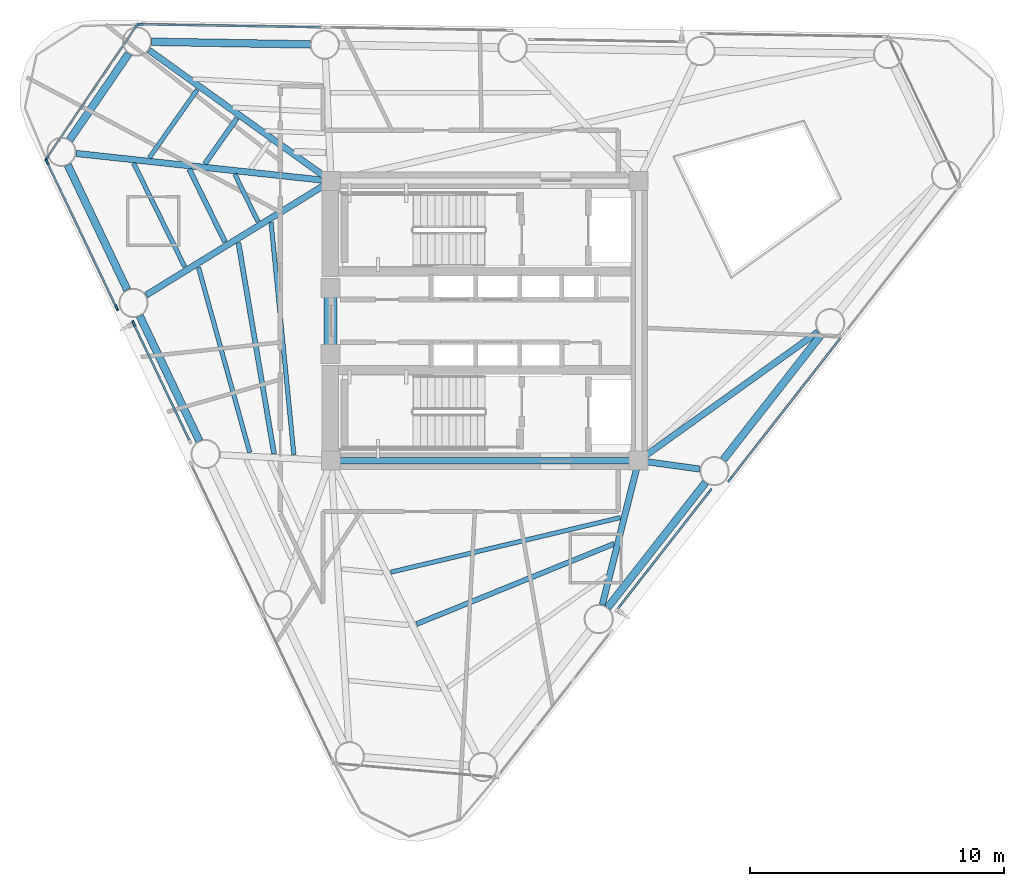
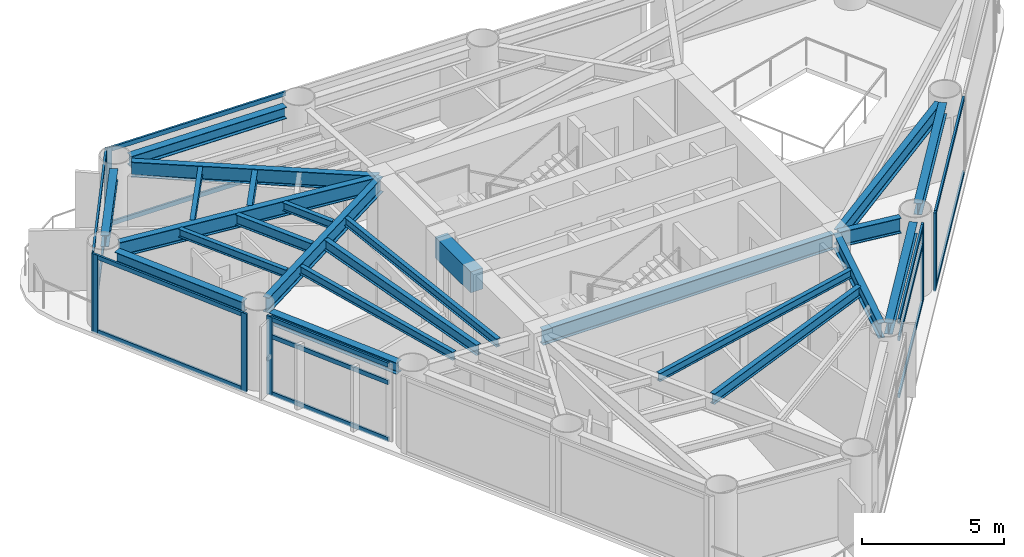
# One storey, part 2 of 9: 24 beams, 22 members, 6 elements without a shape of their own.
"""IFC4 building model written with IfcOpenShell, lengths in metres."""

from ifc_helpers import new_model, si_unit, direction, frame, origin, origin_2d, place, context, subcontext, project, spatial, rectangle, i_section, extrude, source, transform, mapped, material, layer, layer_set, material_profile, profile_set, type_object, element, aggregate, save


model = new_model("IFC4")

# Units and contexts
model_context = context("Model", 3, precision=1e-05, world=origin(), true_north=direction((0.0, 1.0)))
body_context = subcontext(model_context, "Body", "Model", "MODEL_VIEW")
ifc_project = project(units=[si_unit("LENGTHUNIT", "METRE"), si_unit("AREAUNIT", "SQUARE_METRE"), si_unit("VOLUMEUNIT", "CUBIC_METRE"), si_unit("PLANEANGLEUNIT", "RADIAN"), si_unit("MASSUNIT", "GRAM", prefix="KILO")], contexts=[model_context])

# Site, building, storey
site_placement = place(None, origin())
site = spatial("IfcSite", under=ifc_project, at=site_placement, CompositionType="ELEMENT")
building_placement = place(site_placement, origin())
building = spatial("IfcBuilding", under=site, at=building_placement, Name="Yunling Apex Tower", CompositionType="ELEMENT")
storey_placement = place(building_placement, frame((0.0, 0.0, 194.89990234375)))
storey = spatial("IfcBuildingStorey", under=building, at=storey_placement, Name="L47", CompositionType="ELEMENT", Elevation=194.89990234375)

# Beams
ifc_material_1 = material(Name="Concrete C50", Category="concrete")
ifc_material_profile_1 = material_profile(ifc_material_1, rectangle(XDim=0.5, YDim=0.89990234375, at=origin_2d()))
ifc_profile_set_1 = profile_set([ifc_material_profile_1], Name="Concrete C50")
beam_type_1 = type_object("IfcBeamType", Name="BC-CPL-2", PredefinedType="BEAM", material=ifc_profile_set_1)
shared_shape_1 = source(origin(), body_context, "Body", "SweptSolid", [
    extrude(rectangle(XDim=0.5, YDim=0.89990234375, at=origin_2d()), origin(), (0.0, 0.0, 1.0), 2.5),
])
beam_1_placement = place(storey_placement, frame((-6.074951171875, -1.25, 2.820068359375), z_axis=(0.0, 1.0, 0.0), x_axis=(-1.0, 0.0, 0.0)))
element("IfcBeam", 1, at=beam_1_placement, inside=storey, type_object=beam_type_1, Name="L47 Core West Portal Coupling Beam", PredefinedType="BEAM", context=body_context, shape_type="MappedRepresentation", body=[
    mapped(shared_shape_1, transform((0.0, 0.0, 0.0), scale=1.0)),
])
ifc_material_2 = material(Name="Steel Q355B", Category="steel")
ifc_material_profile_2 = material_profile(ifc_material_2, i_section(OverallWidth=0.25, OverallDepth=0.64990234375, WebThickness=0.011962890625, FlangeThickness=0.02001953125, FilletRadius=0.02392578125, at=origin_2d()))
ifc_profile_set_2 = profile_set([ifc_material_profile_2], Name="Steel Q355B")
beam_type_2 = type_object("IfcBeamType", Name="BG-PRI-4", PredefinedType="USERDEFINED", material=ifc_profile_set_2)
shared_shape_2 = source(origin(), body_context, "Body", "SweptSolid", [
    extrude(i_section(OverallWidth=0.25, OverallDepth=0.64990234375, WebThickness=0.011962890625, FlangeThickness=0.02001953125, FilletRadius=0.02392578125, at=origin_2d()), origin(), (0.0, 0.0, 1.0), 11.7998046875),
])
beam_2_placement = place(storey_placement, frame((-5.89990234375, -5.5, 2.945068359375), z_axis=(1.0, 0.0, 0.0), x_axis=(0.0, 1.0, 0.0)))
element("IfcBeam", 2, at=beam_2_placement, inside=storey, type_object=beam_type_2, Name="L47 Core Ring Tie Beam 1", ObjectType="GIRDER", PredefinedType="USERDEFINED", context=body_context, shape_type="MappedRepresentation", body=[
    mapped(shared_shape_2, transform((0.0, 0.0, 0.0), scale=1.0)),
])
ifc_material_profile_3 = material_profile(ifc_material_2, i_section(OverallWidth=0.300048828125, OverallDepth=0.489990234375, WebThickness=0.010986328125, FlangeThickness=0.01806640625, FilletRadius=0.02197265625, at=origin_2d()))
ifc_profile_set_3 = profile_set([ifc_material_profile_3], Name="Steel Q355B")
beam_type_3 = type_object("IfcBeamType", Name="BP-SPN-2", PredefinedType="SPANDREL", material=ifc_profile_set_3)
shared_shape_3 = source(origin(), body_context, "Body", "SweptSolid", [
    extrude(i_section(OverallWidth=0.300048828125, OverallDepth=0.489990234375, WebThickness=0.010986328125, FlangeThickness=0.01806640625, FilletRadius=0.02197265625, at=origin_2d()), origin(), (0.0, 0.0, 1.0), 6.253173828125),
])
for number, where, z_axis, x_axis, name in (
    (3, (4.831298828125, -11.2841796875, 3.025146484375), (0.61621666878, 0.787576673803, 0.0), (-0.787576673803, 0.61621666878, 0.0), "L47 Perimeter Spandrel Beam 2"),
    (4, (9.3857421875, -5.463134765625, 3.025146484375), (0.61621666878, 0.787576673803, 0.0), (-0.787576673803, 0.61621666878, 0.0), "L47 Perimeter Spandrel Beam 3"),
    (5, (-6.86669921875, 10.875, 3.025146484375), (-0.999859061432, 0.016788605428, 0.0), (-0.016788605428, -0.999859061432, 0.0), "L47 Perimeter Spandrel Beam 9"),
):
    element("IfcBeam", number, at=place(storey_placement, frame(where, z_axis=z_axis, x_axis=x_axis)), inside=storey, type_object=beam_type_3, Name=name, PredefinedType="SPANDREL", context=body_context, shape_type="MappedRepresentation", body=[
        mapped(shared_shape_3, transform((0.0, 0.0, 0.0), scale=1.0)),
    ])
shared_shape_4 = source(origin(), body_context, "Body", "SweptSolid", [
    extrude(i_section(OverallWidth=0.300048828125, OverallDepth=0.489990234375, WebThickness=0.010986328125, FlangeThickness=0.01806640625, FilletRadius=0.02197265625, at=origin_2d()), origin(), (0.0, 0.0, 1.0), 4.121337890625),
])
beam_3_placement = place(storey_placement, frame((-14.009033203125, 10.519775390625, 3.025146484375), z_axis=(-0.564775228093, -0.825244776858, 0.0), x_axis=(0.825244776858, -0.564775228093, 0.0)))
element("IfcBeam", 6, at=beam_3_placement, inside=storey, type_object=beam_type_3, Name="L47 Perimeter Spandrel Beam 10", PredefinedType="SPANDREL", context=body_context, shape_type="MappedRepresentation", body=[
    mapped(shared_shape_4, transform((0.0, 0.0, 0.0), scale=1.0)),
])
shared_shape_5 = source(origin(), body_context, "Body", "SweptSolid", [
    extrude(i_section(OverallWidth=0.300048828125, OverallDepth=0.489990234375, WebThickness=0.010986328125, FlangeThickness=0.01806640625, FilletRadius=0.02197265625, at=origin_2d()), origin(), (0.0, 0.0, 1.0), 5.4482421875),
])
for number, where, z_axis, x_axis, name in (
    (7, (-16.4130859375, 6.135498046875, 3.025146484375), (0.430538797564, -0.902572071246, 0.0), (0.902572071246, 0.430538797564, 0.0), "L47 Perimeter Spandrel Beam 11"),
    (8, (-13.577392578125, 0.190673828125, 3.025146484375), (0.430502292287, -0.902589483839, 0.0), (0.902589483839, 0.430502292287, 0.0), "L47 Perimeter Spandrel Beam 12"),
):
    element("IfcBeam", number, at=place(storey_placement, frame(where, z_axis=z_axis, x_axis=x_axis)), inside=storey, type_object=beam_type_3, Name=name, PredefinedType="SPANDREL", context=body_context, shape_type="MappedRepresentation", body=[
        mapped(shared_shape_5, transform((0.0, 0.0, 0.0), scale=1.0)),
    ])
shared_shape_6 = source(origin(), body_context, "Body", "SweptSolid", [
    extrude(i_section(OverallWidth=0.25, OverallDepth=0.64990234375, WebThickness=0.011962890625, FlangeThickness=0.02001953125, FilletRadius=0.02392578125, at=origin_2d()), origin(), (0.0, 0.0, 1.0), 5.763427734375),
])
beam_4_placement = place(storey_placement, frame((4.623291015625, -11.166748046875, 2.945068359375), z_axis=(0.244159894622, 0.969734987436, 0.0), x_axis=(-0.969734987436, 0.244159894622, 0.0)))
element("IfcBeam", 9, at=beam_4_placement, inside=storey, type_object=beam_type_2, Name="L47 Radial Primary Girder R02", ObjectType="GIRDER", PredefinedType="USERDEFINED", context=body_context, shape_type="MappedRepresentation", body=[
    mapped(shared_shape_6, transform((0.0, 0.0, 0.0), scale=1.0)),
])
shared_shape_7 = source(origin(), body_context, "Body", "SweptSolid", [
    extrude(i_section(OverallWidth=0.25, OverallDepth=0.64990234375, WebThickness=0.011962890625, FlangeThickness=0.02001953125, FilletRadius=0.02392578125, at=origin_2d()), origin(), (0.0, 0.0, 1.0), 2.35009765625),
])
beam_5_placement = place(storey_placement, frame((8.45751953125, -5.831787109375, 2.945068359375), z_axis=(-0.990639545436, 0.136503813203, 0.0), x_axis=(-0.136503813203, -0.990639545436, 0.0)))
element("IfcBeam", 10, at=beam_5_placement, inside=storey, type_object=beam_type_2, Name="L47 Radial Primary Girder R03", ObjectType="GIRDER", PredefinedType="USERDEFINED", context=body_context, shape_type="MappedRepresentation", body=[
    mapped(shared_shape_7, transform((0.0, 0.0, 0.0), scale=1.0)),
])
shared_shape_8 = source(origin(), body_context, "Body", "SweptSolid", [
    extrude(i_section(OverallWidth=0.25, OverallDepth=0.64990234375, WebThickness=0.011962890625, FlangeThickness=0.02001953125, FilletRadius=0.02392578125, at=origin_2d()), origin(), (0.0, 0.0, 1.0), 8.616455078125),
])
beam_6_placement = place(storey_placement, frame((13.11572265625, -0.43017578125, 2.945068359375), z_axis=(-0.812487192657, -0.58297904059, 0.0), x_axis=(0.58297904059, -0.812487192657, 0.0)))
element("IfcBeam", 11, at=beam_6_placement, inside=storey, type_object=beam_type_2, Name="L47 Radial Primary Girder R04", ObjectType="GIRDER", PredefinedType="USERDEFINED", context=body_context, shape_type="MappedRepresentation", body=[
    mapped(shared_shape_8, transform((0.0, 0.0, 0.0), scale=1.0)),
])
shared_shape_9 = source(origin(), body_context, "Body", "SweptSolid", [
    extrude(i_section(OverallWidth=0.25, OverallDepth=0.64990234375, WebThickness=0.011962890625, FlangeThickness=0.02001953125, FilletRadius=0.02392578125, at=origin_2d()), origin(), (0.0, 0.0, 1.0), 8.742919921875),
])
beam_7_placement = place(storey_placement, frame((-13.21435546875, 10.649169921875, 2.945068359375), z_axis=(0.812022401907, -0.583626266373, 0.0), x_axis=(0.583626266373, 0.812022401907, 0.0)))
element("IfcBeam", 12, at=beam_7_placement, inside=storey, type_object=beam_type_2, Name="L47 Radial Primary Girder R10", ObjectType="GIRDER", PredefinedType="USERDEFINED", context=body_context, shape_type="MappedRepresentation", body=[
    mapped(shared_shape_9, transform((0.0, 0.0, 0.0), scale=1.0)),
])
shared_shape_10 = source(origin(), body_context, "Body", "SweptSolid", [
    extrude(i_section(OverallWidth=0.25, OverallDepth=0.64990234375, WebThickness=0.011962890625, FlangeThickness=0.02001953125, FilletRadius=0.02392578125, at=origin_2d()), origin(), (0.0, 0.0, 1.0), 10.007080078125),
])
beam_8_placement = place(storey_placement, frame((-16.078369140625, 6.586181640625, 2.945068359375), z_axis=(0.994184902243, -0.107686490111, 0.0), x_axis=(0.107686490111, 0.994184902243, 0.0)))
element("IfcBeam", 13, at=beam_8_placement, inside=storey, type_object=beam_type_2, Name="L47 Radial Primary Girder R11", ObjectType="GIRDER", PredefinedType="USERDEFINED", context=body_context, shape_type="MappedRepresentation", body=[
    mapped(shared_shape_10, transform((0.0, 0.0, 0.0), scale=1.0)),
])
shared_shape_11 = source(origin(), body_context, "Body", "SweptSolid", [
    extrude(i_section(OverallWidth=0.25, OverallDepth=0.64990234375, WebThickness=0.011962890625, FlangeThickness=0.02001953125, FilletRadius=0.02392578125, at=origin_2d()), origin(), (0.0, 0.0, 1.0), 8.4697265625),
])
beam_9_placement = place(storey_placement, frame((-13.326171875, 1.010498046875, 2.945068359375), z_axis=(0.851035190572, 0.525108659621, 0.0), x_axis=(-0.525108659621, 0.851035190572, 0.0)))
element("IfcBeam", 14, at=beam_9_placement, inside=storey, type_object=beam_type_2, Name="L47 Radial Primary Girder R12", ObjectType="GIRDER", PredefinedType="USERDEFINED", context=body_context, shape_type="MappedRepresentation", body=[
    mapped(shared_shape_11, transform((0.0, 0.0, 0.0), scale=1.0)),
])
ifc_material_profile_4 = material_profile(ifc_material_2, i_section(OverallWidth=0.199951171875, OverallDepth=0.449951171875, WebThickness=0.009033203125, FlangeThickness=0.013916015625, FilletRadius=0.01806640625, at=origin_2d()))
ifc_profile_set_4 = profile_set([ifc_material_profile_4], Name="Steel Q355B")
beam_type_4 = type_object("IfcBeamType", Name="BS-SEC-3", PredefinedType="BEAM", material=ifc_profile_set_4)
shared_shape_12 = source(origin(), body_context, "Body", "SweptSolid", [
    extrude(i_section(OverallWidth=0.199951171875, OverallDepth=0.449951171875, WebThickness=0.009033203125, FlangeThickness=0.013916015625, FilletRadius=0.01806640625, at=origin_2d()), origin(), (0.0, 0.0, 1.0), 8.396240234375),
])
beam_10_placement = place(storey_placement, frame((-2.684326171875, -11.9287109375, 3.045166015625), z_axis=(0.926431402479, 0.376463619092, 0.0), x_axis=(-0.376463619092, 0.926431402479, 0.0)))
element("IfcBeam", 15, at=beam_10_placement, inside=storey, type_object=beam_type_4, Name="L47 Composite Floor Beam BS-1", PredefinedType="BEAM", context=body_context, shape_type="MappedRepresentation", body=[
    mapped(shared_shape_12, transform((0.0, 0.0, 0.0), scale=1.0)),
])
ifc_material_profile_5 = material_profile(ifc_material_2, i_section(OverallWidth=0.175048828125, OverallDepth=0.35009765625, WebThickness=0.007080078125, FlangeThickness=0.010986328125, FilletRadius=0.013916015625, at=origin_2d()))
ifc_profile_set_5 = profile_set([ifc_material_profile_5], Name="Steel Q355B")
beam_type_5 = type_object("IfcBeamType", Name="BJ-JST-1", PredefinedType="JOIST", material=ifc_profile_set_5)
shared_shape_13 = source(origin(), body_context, "Body", "SweptSolid", [
    extrude(i_section(OverallWidth=0.175048828125, OverallDepth=0.35009765625, WebThickness=0.007080078125, FlangeThickness=0.010986328125, FilletRadius=0.013916015625, at=origin_2d()), origin(), (0.0, 0.0, 1.0), 9.2919921875),
])
beam_11_placement = place(storey_placement, frame((-3.69970703125, -9.88916015625, 3.09521484375), z_axis=(0.972847358166, 0.231447656523, 0.0), x_axis=(-0.231447656523, 0.972847358166, 0.0)))
element("IfcBeam", 16, at=beam_11_placement, inside=storey, type_object=beam_type_5, Name="L47 Composite Floor Joist BJ3-1", PredefinedType="JOIST", context=body_context, shape_type="MappedRepresentation", body=[
    mapped(shared_shape_13, transform((0.0, 0.0, 0.0), scale=1.0)),
])
shared_shape_14 = source(origin(), body_context, "Body", "SweptSolid", [
    extrude(i_section(OverallWidth=0.199951171875, OverallDepth=0.449951171875, WebThickness=0.009033203125, FlangeThickness=0.013916015625, FilletRadius=0.01806640625, at=origin_2d()), origin(), (0.0, 0.0, 1.0), 2.18505859375),
])
beam_12_placement = place(storey_placement, frame((-9.756591796875, 7.966796875, 3.045166015625), z_axis=(-0.57454920808, -0.818470040682, 0.0), x_axis=(0.818470040682, -0.57454920808, 0.0)))
element("IfcBeam", 17, at=beam_12_placement, inside=storey, type_object=beam_type_4, Name="L47 Composite Floor Beam BS-10", PredefinedType="BEAM", context=body_context, shape_type="MappedRepresentation", body=[
    mapped(shared_shape_14, transform((0.0, 0.0, 0.0), scale=1.0)),
])
shared_shape_15 = source(origin(), body_context, "Body", "SweptSolid", [
    extrude(i_section(OverallWidth=0.175048828125, OverallDepth=0.35009765625, WebThickness=0.007080078125, FlangeThickness=0.010986328125, FilletRadius=0.013916015625, at=origin_2d()), origin(), (0.0, 0.0, 1.0), 3.270263671875),
])
beam_13_placement = place(storey_placement, frame((-11.318603515625, 9.089599609375, 3.09521484375), z_axis=(-0.575524843555, -0.817784295797, 0.0), x_axis=(0.817784295797, -0.575524843555, 0.0)))
element("IfcBeam", 18, at=beam_13_placement, inside=storey, type_object=beam_type_5, Name="L47 Composite Floor Joist BJ1-10", PredefinedType="JOIST", context=body_context, shape_type="MappedRepresentation", body=[
    mapped(shared_shape_15, transform((0.0, 0.0, 0.0), scale=1.0)),
])
shared_shape_16 = source(origin(), body_context, "Body", "SweptSolid", [
    extrude(i_section(OverallWidth=0.199951171875, OverallDepth=0.449951171875, WebThickness=0.009033203125, FlangeThickness=0.013916015625, FilletRadius=0.01806640625, at=origin_2d()), origin(), (0.0, 0.0, 1.0), 3.1845703125),
])
beam_14_placement = place(storey_placement, frame((-11.63037109375, 5.968505859375, 3.045166015625), z_axis=(0.441285246196, -0.897366887895, 0.0), x_axis=(0.897366887895, 0.441285246196, 0.0)))
element("IfcBeam", 19, at=beam_14_placement, inside=storey, type_object=beam_type_4, Name="L47 Composite Floor Beam BS-11", PredefinedType="BEAM", context=body_context, shape_type="MappedRepresentation", body=[
    mapped(shared_shape_16, transform((0.0, 0.0, 0.0), scale=1.0)),
])
shared_shape_17 = source(origin(), body_context, "Body", "SweptSolid", [
    extrude(i_section(OverallWidth=0.175048828125, OverallDepth=0.35009765625, WebThickness=0.007080078125, FlangeThickness=0.010986328125, FilletRadius=0.013916015625, at=origin_2d()), origin(), (0.0, 0.0, 1.0), 4.541259765625),
])
beam_15_placement = place(storey_placement, frame((-13.81884765625, 6.205810546875, 3.09521484375), z_axis=(0.442066776363, -0.896982143209, 0.0), x_axis=(0.896982143209, 0.442066776363, 0.0)))
element("IfcBeam", 20, at=beam_15_placement, inside=storey, type_object=beam_type_5, Name="L47 Composite Floor Joist BJ1-11", PredefinedType="JOIST", context=body_context, shape_type="MappedRepresentation", body=[
    mapped(shared_shape_17, transform((0.0, 0.0, 0.0), scale=1.0)),
])
shared_shape_18 = source(origin(), body_context, "Body", "SweptSolid", [
    extrude(i_section(OverallWidth=0.175048828125, OverallDepth=0.35009765625, WebThickness=0.007080078125, FlangeThickness=0.010986328125, FilletRadius=0.013916015625, at=origin_2d()), origin(), (0.0, 0.0, 1.0), 2.07421875),
])
beam_16_placement = place(storey_placement, frame((-9.839599609375, 5.7744140625, 3.09521484375), z_axis=(0.439758949759, -0.898115842254, 0.0), x_axis=(0.898115842254, 0.439758949759, 0.0)))
element("IfcBeam", 21, at=beam_16_placement, inside=storey, type_object=beam_type_5, Name="L47 Composite Floor Joist BJ3-11", PredefinedType="JOIST", context=body_context, shape_type="MappedRepresentation", body=[
    mapped(shared_shape_18, transform((0.0, 0.0, 0.0), scale=1.0)),
])
shared_shape_19 = source(origin(), body_context, "Body", "SweptSolid", [
    extrude(i_section(OverallWidth=0.199951171875, OverallDepth=0.449951171875, WebThickness=0.009033203125, FlangeThickness=0.013916015625, FilletRadius=0.01806640625, at=origin_2d()), origin(), (0.0, 0.0, 1.0), 8.41943359375),
])
beam_17_placement = place(storey_placement, frame((-9.695556640625, 3.076416015625, 3.045166015625), z_axis=(0.16647230798, -0.986046130095, 0.0), x_axis=(0.986046130095, 0.16647230798, 0.0)))
element("IfcBeam", 22, at=beam_17_placement, inside=storey, type_object=beam_type_4, Name="L47 Composite Floor Beam BS-12", PredefinedType="BEAM", context=body_context, shape_type="MappedRepresentation", body=[
    mapped(shared_shape_19, transform((0.0, 0.0, 0.0), scale=1.0)),
])
shared_shape_20 = source(origin(), body_context, "Body", "SweptSolid", [
    extrude(i_section(OverallWidth=0.175048828125, OverallDepth=0.35009765625, WebThickness=0.007080078125, FlangeThickness=0.010986328125, FilletRadius=0.013916015625, at=origin_2d()), origin(), (0.0, 0.0, 1.0), 7.554931640625),
])
beam_18_placement = place(storey_placement, frame((-11.265380859375, 2.1015625, 3.09521484375), z_axis=(0.266700380195, -0.963779490965, 0.0), x_axis=(0.963779490965, 0.266700380195, 0.0)))
element("IfcBeam", 23, at=beam_18_placement, inside=storey, type_object=beam_type_5, Name="L47 Composite Floor Joist BJ1-12", PredefinedType="JOIST", context=body_context, shape_type="MappedRepresentation", body=[
    mapped(shared_shape_20, transform((0.0, 0.0, 0.0), scale=1.0)),
])
shared_shape_21 = source(origin(), body_context, "Body", "SweptSolid", [
    extrude(i_section(OverallWidth=0.175048828125, OverallDepth=0.35009765625, WebThickness=0.007080078125, FlangeThickness=0.010986328125, FilletRadius=0.013916015625, at=origin_2d()), origin(), (0.0, 0.0, 1.0), 9.183837890625),
])
beam_19_placement = place(storey_placement, frame((-8.4091796875, 3.87548828125, 3.09521484375), z_axis=(0.097534767925, -0.995232118174, 0.0), x_axis=(0.995232118174, 0.097534767925, 0.0)))
element("IfcBeam", 24, at=beam_19_placement, inside=storey, type_object=beam_type_5, Name="L47 Composite Floor Joist BJ3-12", PredefinedType="JOIST", context=body_context, shape_type="MappedRepresentation", body=[
    mapped(shared_shape_21, transform((0.0, 0.0, 0.0), scale=1.0)),
])

# Curtain wall, member
ifc_material_3 = material(Name="Bronze anodised aluminium", Category="aluminium")
ifc_layer = layer(ifc_material_3, 0.239990234375)
ifc_layer_set = layer_set([ifc_layer], Name="Bronze anodised aluminium")
curtain_wall_type = type_object("IfcCurtainWallType", Name="CW-SYS-3", PredefinedType="NOTDEFINED", material=ifc_layer_set)
curtain_wall_1_placement = place(storey_placement, origin())
curtain_wall_1 = element("IfcCurtainWall", 25, at=curtain_wall_1_placement, inside=storey, type_object=curtain_wall_type, Name="CW-L47-F1-B2", PredefinedType="NOTDEFINED")
ifc_material_profile_6 = material_profile(ifc_material_3, rectangle(XDim=0.080078125, YDim=0.239990234375, at=origin_2d()))
ifc_profile_set_6 = profile_set([ifc_material_profile_6], Name="Bronze anodised aluminium")
member_type_1 = type_object("IfcMemberType", Name="CW-MUL-3", PredefinedType="MULLION", material=ifc_profile_set_6)
shared_shape_22 = source(origin(), body_context, "Body", "SweptSolid", [
    extrude(rectangle(XDim=0.080078125, YDim=0.239990234375, at=origin_2d()), origin(), (0.0, 0.0, 1.0), 3.369873046875),
])
member_1_placement = place(storey_placement, frame((8.846923828125, -6.70361328125, -0.0498046875), z_axis=(0.0, 0.0, 1.0), x_axis=(-0.787576499109, 0.616216892053, 0.0)))
member_1 = element("IfcMember", 26, at=member_1_placement, type_object=member_type_1, Name="CW-SYS-3 mullion 2", PredefinedType="MULLION", context=body_context, shape_type="MappedRepresentation", body=[
    mapped(shared_shape_22, transform((0.0, 0.0, 0.0), scale=1.0)),
])

curtain_wall_2_placement = place(storey_placement, origin())
curtain_wall_2 = element("IfcCurtainWall", 27, at=curtain_wall_2_placement, inside=storey, type_object=curtain_wall_type, Name="CW-L47-F1-B3", PredefinedType="NOTDEFINED")
member_2_placement = place(storey_placement, frame((9.64453125, -6.23583984375, -0.0498046875), z_axis=(0.0, 0.0, 1.0), x_axis=(-0.787589332433, 0.616200489644, 0.0)))
member_2 = element("IfcMember", 28, at=member_2_placement, type_object=member_type_1, Name="CW-SYS-3 mullion 1", PredefinedType="MULLION", context=body_context, shape_type="MappedRepresentation", body=[
    mapped(shared_shape_22, transform((0.0, 0.0, 0.0), scale=1.0)),
])

curtain_wall_3_placement = place(storey_placement, origin())
curtain_wall_3 = element("IfcCurtainWall", 29, at=curtain_wall_3_placement, inside=storey, type_object=curtain_wall_type, Name="CW-L47-F2-B4", PredefinedType="NOTDEFINED")
member_3_placement = place(storey_placement, frame((-13.556396484375, 11.667236328125, -0.0498046875), z_axis=(0.0, 0.0, 1.0), x_axis=(-0.016761362354, -0.999859518498, 0.0)))
member_3 = element("IfcMember", 30, at=member_3_placement, type_object=member_type_1, Name="CW-SYS-3 mullion 2", PredefinedType="MULLION", context=body_context, shape_type="MappedRepresentation", body=[
    mapped(shared_shape_22, transform((0.0, 0.0, 0.0), scale=1.0)),
])

# Curtain wall, members
curtain_wall_4_placement = place(storey_placement, origin())
curtain_wall_4 = element("IfcCurtainWall", 31, at=curtain_wall_4_placement, inside=storey, type_object=curtain_wall_type, Name="CW-L47-CRN2", PredefinedType="NOTDEFINED")
member_4_placement = place(storey_placement, frame((-13.698974609375, 11.6162109375, -0.0498046875), z_axis=(0.0, 0.0, 1.0), x_axis=(0.828106898006, -0.56057021458, 0.0)))
member_4 = element("IfcMember", 32, at=member_4_placement, type_object=member_type_1, Name="CW-SYS-3 mullion 1", PredefinedType="MULLION", context=body_context, shape_type="MappedRepresentation", body=[
    mapped(shared_shape_22, transform((0.0, 0.0, 0.0), scale=1.0)),
])
member_5_placement = place(storey_placement, frame((-17.231201171875, 6.398193359375, -0.0498046875), z_axis=(0.0, 0.0, 1.0), x_axis=(0.828106898006, -0.56057021458, 0.0)))
member_5 = element("IfcMember", 33, at=member_5_placement, type_object=member_type_1, Name="CW-SYS-3 mullion 2", PredefinedType="MULLION", context=body_context, shape_type="MappedRepresentation", body=[
    mapped(shared_shape_22, transform((0.0, 0.0, 0.0), scale=1.0)),
])

curtain_wall_5_placement = place(storey_placement, origin())
curtain_wall_5 = element("IfcCurtainWall", 34, at=curtain_wall_5_placement, inside=storey, type_object=curtain_wall_type, Name="CW-L47-F3-B1", PredefinedType="NOTDEFINED")
member_6_placement = place(storey_placement, frame((-17.219970703125, 6.248046875, -0.0498046875), z_axis=(0.0, 0.0, 1.0), x_axis=(0.902582193367, 0.430517577128, 0.0)))
member_6 = element("IfcMember", 35, at=member_6_placement, type_object=member_type_1, Name="CW-SYS-3 mullion 1", PredefinedType="MULLION", context=body_context, shape_type="MappedRepresentation", body=[
    mapped(shared_shape_22, transform((0.0, 0.0, 0.0), scale=1.0)),
])
member_7_placement = place(storey_placement, frame((-14.48779296875, 0.52001953125, -0.0498046875), z_axis=(0.0, 0.0, 1.0), x_axis=(0.902582193367, 0.430517577128, 0.0)))
member_7 = element("IfcMember", 36, at=member_7_placement, type_object=member_type_1, Name="CW-SYS-3 mullion 2", PredefinedType="MULLION", context=body_context, shape_type="MappedRepresentation", body=[
    mapped(shared_shape_22, transform((0.0, 0.0, 0.0), scale=1.0)),
])

# Curtain wall, member
curtain_wall_6_placement = place(storey_placement, origin())
curtain_wall_6 = element("IfcCurtainWall", 37, at=curtain_wall_6_placement, inside=storey, type_object=curtain_wall_type, Name="CW-L47-F3-B2", PredefinedType="NOTDEFINED")
member_8_placement = place(storey_placement, frame((-13.810791015625, -0.110107421875, -0.0498046875), z_axis=(0.0, 0.0, 1.0), x_axis=(0.902583049107, 0.430515783062, 0.0)))
member_8 = element("IfcMember", 38, at=member_8_placement, type_object=member_type_1, Name="CW-SYS-3 mullion 1", PredefinedType="MULLION", context=body_context, shape_type="MappedRepresentation", body=[
    mapped(shared_shape_22, transform((0.0, 0.0, 0.0), scale=1.0)),
])

# Member
ifc_material_profile_7 = material_profile(ifc_material_3, rectangle(XDim=0.080078125, YDim=0.18505859375, at=origin_2d()))
ifc_profile_set_7 = profile_set([ifc_material_profile_7], Name="Bronze anodised aluminium")
member_type_2 = type_object("IfcMemberType", Name="CW-TRN-3", PredefinedType="USERDEFINED", material=ifc_profile_set_7)
shared_shape_23 = source(origin(), body_context, "Body", "SweptSolid", [
    extrude(rectangle(XDim=0.080078125, YDim=0.18505859375, at=origin_2d()), origin(), (0.0, 0.0, 1.0), 5.8388671875),
])
member_9_placement = place(storey_placement, frame((5.226806640625, -11.33056640625, 0.0400390625), z_axis=(0.616198894741, 0.787590580264, 0.0), x_axis=(-0.787590580264, 0.616198894741, 0.0)))
member_9 = element("IfcMember", 39, at=member_9_placement, type_object=member_type_2, Name="CW-SYS-3 transom 1.1", ObjectType="TRANSOM", PredefinedType="USERDEFINED", context=body_context, shape_type="MappedRepresentation", body=[
    mapped(shared_shape_23, transform((0.0, 0.0, 0.0), scale=1.0)),
])

member_10_placement = place(storey_placement, frame((5.226806640625, -11.33056640625, 2.4853515625), z_axis=(0.616198894741, 0.787590580264, 0.0), x_axis=(-0.787590580264, 0.616198894741, 0.0)))
member_10 = element("IfcMember", 40, at=member_10_placement, type_object=member_type_2, Name="CW-SYS-3 transom 1.2", ObjectType="TRANSOM", PredefinedType="USERDEFINED", context=body_context, shape_type="MappedRepresentation", body=[
    mapped(shared_shape_23, transform((0.0, 0.0, 0.0), scale=1.0)),
])

member_11_placement = place(storey_placement, frame((5.226806640625, -11.33056640625, 3.22998046875), z_axis=(0.616198894741, 0.787590580264, 0.0), x_axis=(-0.787590580264, 0.616198894741, 0.0)))
member_11 = element("IfcMember", 41, at=member_11_placement, type_object=member_type_2, Name="CW-SYS-3 transom 1.3", ObjectType="TRANSOM", PredefinedType="USERDEFINED", context=body_context, shape_type="MappedRepresentation", body=[
    mapped(shared_shape_23, transform((0.0, 0.0, 0.0), scale=1.0)),
])

aggregate(curtain_wall_1, [member_1, member_9, member_10, member_11])

shared_shape_24 = source(origin(), body_context, "Body", "SweptSolid", [
    extrude(rectangle(XDim=0.080078125, YDim=0.18505859375, at=origin_2d()), origin(), (0.0, 0.0, 1.0), 7.0791015625),
])
member_12_placement = place(storey_placement, frame((9.666748046875, -6.20751953125, 0.0400390625), z_axis=(0.616192015574, 0.78759596237, 0.0), x_axis=(-0.78759596237, 0.616192015574, 0.0)))
member_12 = element("IfcMember", 42, at=member_12_placement, type_object=member_type_2, Name="CW-SYS-3 transom 1.1", ObjectType="TRANSOM", PredefinedType="USERDEFINED", context=body_context, shape_type="MappedRepresentation", body=[
    mapped(shared_shape_24, transform((0.0, 0.0, 0.0), scale=1.0)),
])

member_13_placement = place(storey_placement, frame((9.666748046875, -6.20751953125, 3.22998046875), z_axis=(0.616192015574, 0.78759596237, 0.0), x_axis=(-0.78759596237, 0.616192015574, 0.0)))
member_13 = element("IfcMember", 43, at=member_13_placement, type_object=member_type_2, Name="CW-SYS-3 transom 1.2", ObjectType="TRANSOM", PredefinedType="USERDEFINED", context=body_context, shape_type="MappedRepresentation", body=[
    mapped(shared_shape_24, transform((0.0, 0.0, 0.0), scale=1.0)),
])

aggregate(curtain_wall_2, [member_2, member_12, member_13])

shared_shape_25 = source(origin(), body_context, "Body", "SweptSolid", [
    extrude(rectangle(XDim=0.080078125, YDim=0.18505859375, at=origin_2d()), origin(), (0.0, 0.0, 1.0), 7.078857421875),
])
member_14_placement = place(storey_placement, frame((-6.4423828125, 11.548095703125, 0.0400390625), z_axis=(-0.999859516724, 0.016761468219, 0.0), x_axis=(-0.016761468219, -0.999859516724, 0.0)))
member_14 = element("IfcMember", 44, at=member_14_placement, type_object=member_type_2, Name="CW-SYS-3 transom 1.1", ObjectType="TRANSOM", PredefinedType="USERDEFINED", context=body_context, shape_type="MappedRepresentation", body=[
    mapped(shared_shape_25, transform((0.0, 0.0, 0.0), scale=1.0)),
])

member_15_placement = place(storey_placement, frame((-6.4423828125, 11.548095703125, 3.22998046875), z_axis=(-0.999859516724, 0.016761468219, 0.0), x_axis=(-0.016761468219, -0.999859516724, 0.0)))
member_15 = element("IfcMember", 45, at=member_15_placement, type_object=member_type_2, Name="CW-SYS-3 transom 1.2", ObjectType="TRANSOM", PredefinedType="USERDEFINED", context=body_context, shape_type="MappedRepresentation", body=[
    mapped(shared_shape_25, transform((0.0, 0.0, 0.0), scale=1.0)),
])

aggregate(curtain_wall_3, [member_3, member_14, member_15])

shared_shape_26 = source(origin(), body_context, "Body", "SweptSolid", [
    extrude(rectangle(XDim=0.080078125, YDim=0.18505859375, at=origin_2d()), origin(), (0.0, 0.0, 1.0), 6.229248046875),
])
member_16_placement = place(storey_placement, frame((-13.71923828125, 11.58642578125, 0.0400390625), z_axis=(-0.560574268249, -0.828104153942, 0.0), x_axis=(0.828104153942, -0.560574268249, 0.0)))
member_16 = element("IfcMember", 46, at=member_16_placement, type_object=member_type_2, Name="CW-SYS-3 transom 1.1", ObjectType="TRANSOM", PredefinedType="USERDEFINED", context=body_context, shape_type="MappedRepresentation", body=[
    mapped(shared_shape_26, transform((0.0, 0.0, 0.0), scale=1.0)),
])

member_17_placement = place(storey_placement, frame((-13.71923828125, 11.58642578125, 3.22998046875), z_axis=(-0.560574268249, -0.828104153942, 0.0), x_axis=(0.828104153942, -0.560574268249, 0.0)))
member_17 = element("IfcMember", 47, at=member_17_placement, type_object=member_type_2, Name="CW-SYS-3 transom 1.2", ObjectType="TRANSOM", PredefinedType="USERDEFINED", context=body_context, shape_type="MappedRepresentation", body=[
    mapped(shared_shape_26, transform((0.0, 0.0, 0.0), scale=1.0)),
])

aggregate(curtain_wall_4, [member_4, member_5, member_16, member_17])

shared_shape_27 = source(origin(), body_context, "Body", "SweptSolid", [
    extrude(rectangle(XDim=0.080078125, YDim=0.18505859375, at=origin_2d()), origin(), (0.0, 0.0, 1.0), 6.2744140625),
])
member_18_placement = place(storey_placement, frame((-17.20458984375, 6.215576171875, 0.0400390625), z_axis=(0.430513491492, -0.902584142141, 0.0), x_axis=(0.902584142141, 0.430513491492, 0.0)))
member_18 = element("IfcMember", 48, at=member_18_placement, type_object=member_type_2, Name="CW-SYS-3 transom 1.1", ObjectType="TRANSOM", PredefinedType="USERDEFINED", context=body_context, shape_type="MappedRepresentation", body=[
    mapped(shared_shape_27, transform((0.0, 0.0, 0.0), scale=1.0)),
])

member_19_placement = place(storey_placement, frame((-17.20458984375, 6.215576171875, 3.22998046875), z_axis=(0.430513491492, -0.902584142141, 0.0), x_axis=(0.902584142141, 0.430513491492, 0.0)))
member_19 = element("IfcMember", 49, at=member_19_placement, type_object=member_type_2, Name="CW-SYS-3 transom 1.2", ObjectType="TRANSOM", PredefinedType="USERDEFINED", context=body_context, shape_type="MappedRepresentation", body=[
    mapped(shared_shape_27, transform((0.0, 0.0, 0.0), scale=1.0)),
])

aggregate(curtain_wall_5, [member_6, member_7, member_18, member_19])

shared_shape_28 = source(origin(), body_context, "Body", "SweptSolid", [
    extrude(rectangle(XDim=0.080078125, YDim=0.18505859375, at=origin_2d()), origin(), (0.0, 0.0, 1.0), 5.034423828125),
])
member_20_placement = place(storey_placement, frame((-13.795166015625, -0.142578125, 0.0400390625), z_axis=(0.430492583081, -0.902594114712, 0.0), x_axis=(0.902594114712, 0.430492583081, 0.0)))
member_20 = element("IfcMember", 50, at=member_20_placement, type_object=member_type_2, Name="CW-SYS-3 transom 1.1", ObjectType="TRANSOM", PredefinedType="USERDEFINED", context=body_context, shape_type="MappedRepresentation", body=[
    mapped(shared_shape_28, transform((0.0, 0.0, 0.0), scale=1.0)),
])

member_21_placement = place(storey_placement, frame((-13.795166015625, -0.142578125, 2.4853515625), z_axis=(0.430492583081, -0.902594114712, 0.0), x_axis=(0.902594114712, 0.430492583081, 0.0)))
member_21 = element("IfcMember", 51, at=member_21_placement, type_object=member_type_2, Name="CW-SYS-3 transom 1.2", ObjectType="TRANSOM", PredefinedType="USERDEFINED", context=body_context, shape_type="MappedRepresentation", body=[
    mapped(shared_shape_28, transform((0.0, 0.0, 0.0), scale=1.0)),
])

member_22_placement = place(storey_placement, frame((-13.795166015625, -0.142578125, 3.22998046875), z_axis=(0.430492583081, -0.902594114712, 0.0), x_axis=(0.902594114712, 0.430492583081, 0.0)))
member_22 = element("IfcMember", 52, at=member_22_placement, type_object=member_type_2, Name="CW-SYS-3 transom 1.3", ObjectType="TRANSOM", PredefinedType="USERDEFINED", context=body_context, shape_type="MappedRepresentation", body=[
    mapped(shared_shape_28, transform((0.0, 0.0, 0.0), scale=1.0)),
])

aggregate(curtain_wall_6, [member_8, member_20, member_21, member_22])

save(model, "model.ifc")
